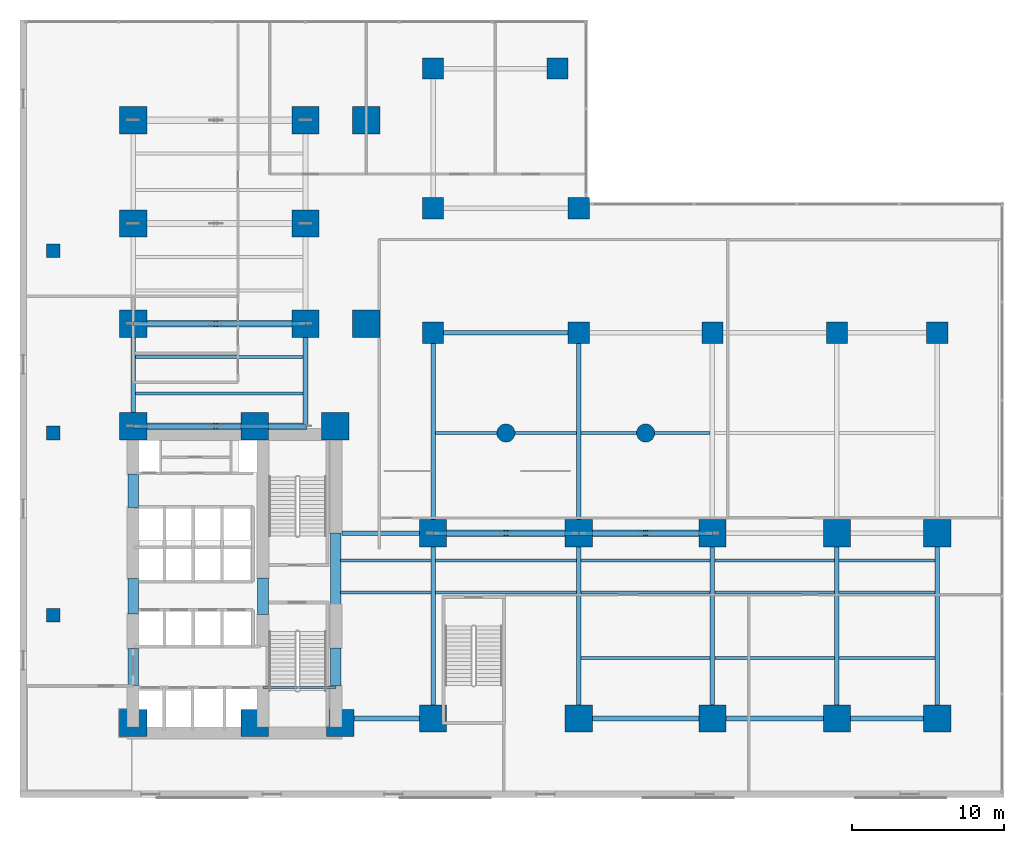
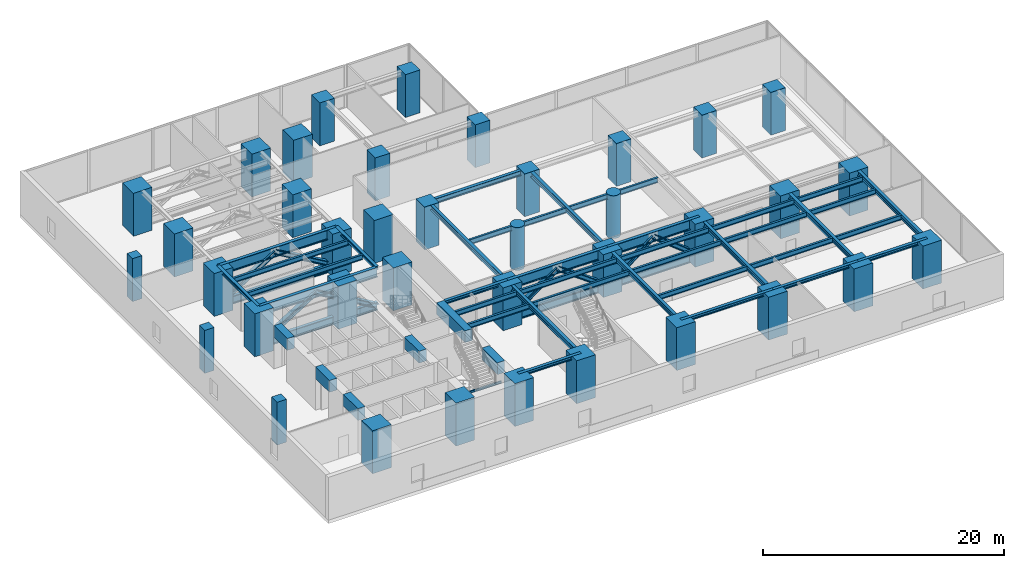
# One storey, part 1 of 18: 47 beams, 38 columns, 8 members.
"""IFC4 building model written with IfcOpenShell, lengths in metres."""

from ifc_helpers import new_model, si_unit, direction, frame, origin, origin_2d, place, context, subcontext, project, spatial, rectangle, circle, i_section, extrude, material, material_profile, profile_set, type_object, element, save


model = new_model("IFC4")

# Units and contexts
model_context = context("Model", 3, precision=1e-05, world=origin(), true_north=direction((0.0, 1.0)))
body_context = subcontext(model_context, "Body", "Model", "MODEL_VIEW")
ifc_project = project(units=[si_unit("LENGTHUNIT", "METRE"), si_unit("AREAUNIT", "SQUARE_METRE"), si_unit("VOLUMEUNIT", "CUBIC_METRE"), si_unit("PLANEANGLEUNIT", "RADIAN"), si_unit("MASSUNIT", "GRAM", prefix="KILO")], contexts=[model_context])

# Site, building, storey
site_placement = place(None, origin())
site = spatial("IfcSite", under=ifc_project, at=site_placement, CompositionType="ELEMENT")
building_placement = place(site_placement, origin())
building = spatial("IfcBuilding", under=site, at=building_placement, Name="Kolvaren Waterfront Exchange", CompositionType="ELEMENT")
storey_placement = place(building_placement, frame((0.0, 0.0, 24.800048828125)))
storey = spatial("IfcBuildingStorey", under=building, at=storey_placement, Name="L06", CompositionType="ELEMENT", Elevation=24.800048828125)

# Columns
ifc_material_1 = material(Name="Concrete C70/85", Category="concrete")
ifc_material_profile_1 = material_profile(ifc_material_1, rectangle(XDim=1.39990234375, YDim=1.39990234375, at=origin_2d()), Name="RC-COL-1400x1400")
ifc_profile_set_1 = profile_set([ifc_material_profile_1], Name="Concrete C70/85")
column_type_1 = type_object("IfcColumnType", Name="STR-COL-1400-C70", PredefinedType="COLUMN", material=ifc_profile_set_1)
for number, where, z_axis, x_axis, name in (
    (1, (27.199951171875, 30.60009765625, 0.0), (0.0, 0.0, 1.0), (1.0, 0.0, 0.0), "L06 column PC01"),
    (2, (36.800048828125, 30.60009765625, 0.0), (0.0, 0.0, 1.0), (1.0, 0.0, 0.0), "L06 column PC02"),
    (3, (45.60009765625, 30.60009765625, 0.0), (0.0, 0.0, 1.0), (1.0, 0.0, 0.0), "L06 column PC03"),
    (4, (53.800048828125, 30.60009765625, 0.0), (0.0, 0.0, 1.0), (1.0, 0.0, 0.0), "L06 column PC04"),
    (5, (60.39990234375, 30.60009765625, 0.0), (0.0, 0.0, 1.0), (1.0, 0.0, 0.0), "L06 column PC05"),
    (6, (27.199951171875, 38.800048828125, 0.0), (0.0, 0.0, 1.0), (1.0, 0.0, 0.0), "L06 column PC06"),
    (7, (36.800048828125, 38.800048828125, 0.0), (0.0, 0.0, 1.0), (1.0, 0.0, 0.0), "L06 column PC07"),
    (8, (27.199951171875, 48.0, 0.0), (0.0, 0.0, 1.0), (1.0, 0.0, 0.0), "L06 column PC08"),
    (9, (35.39990234375, 48.0, 0.0), (0.0, 0.0, 1.0), (1.0, 0.0, 0.0), "L06 column PC09"),
):
    element("IfcColumn", number, at=place(storey_placement, frame(where, z_axis=z_axis, x_axis=x_axis)), inside=storey, type_object=column_type_1, Name=name, PredefinedType="COLUMN", context=body_context, shape_type="SweptSolid", body=[
        extrude(rectangle(XDim=1.39990234375, YDim=1.39990234375, at=origin_2d()), origin(), (0.0, 0.0, 1.0), 4.349853515625),
    ])
ifc_material_profile_2 = material_profile(ifc_material_1, rectangle(XDim=1.800048828125, YDim=1.800048828125, at=origin_2d()), Name="RC-COL-1800x1800")
ifc_profile_set_2 = profile_set([ifc_material_profile_2], Name="Concrete C70/85")
column_type_2 = type_object("IfcColumnType", Name="STR-COL-1800-C70", PredefinedType="COLUMN", material=ifc_profile_set_2)
for number, where, z_axis, x_axis, name in (
    (10, (7.449951171875, 4.89990234375, 0.0), (0.0, 0.0, 1.0), (1.0, 0.0, 0.0), "L06 column MC01"),
    (11, (15.449951171875, 4.89990234375, 0.0), (0.0, 0.0, 1.0), (1.0, 0.0, 0.0), "L06 column MC02"),
    (12, (21.10009765625, 4.89990234375, 0.0), (0.0, 0.0, 1.0), (1.0, 0.0, 0.0), "L06 column MC03"),
    (13, (7.449951171875, 24.449951171875, 0.0), (0.0, 0.0, 1.0), (1.0, 0.0, 0.0), "L06 column MC04"),
    (14, (15.449951171875, 24.449951171875, 0.0), (0.0, 0.0, 1.0), (1.0, 0.0, 0.0), "L06 column MC05"),
    (15, (20.75, 24.449951171875, 0.0), (0.0, 0.0, 1.0), (1.0, 0.0, 0.0), "L06 column MC06"),
    (16, (7.449951171875, 31.199951171875, 0.0), (0.0, 0.0, 1.0), (1.0, 0.0, 0.0), "L06 column NC01"),
    (17, (7.449951171875, 37.800048828125, 0.0), (0.0, 0.0, 1.0), (1.0, 0.0, 0.0), "L06 column NC02"),
    (18, (7.449951171875, 44.60009765625, 0.0), (0.0, 0.0, 1.0), (1.0, 0.0, 0.0), "L06 column NC03"),
    (19, (18.800048828125, 31.199951171875, 0.0), (0.0, 0.0, 1.0), (1.0, 0.0, 0.0), "L06 column NC04"),
    (20, (18.800048828125, 37.800048828125, 0.0), (0.0, 0.0, 1.0), (1.0, 0.0, 0.0), "L06 column NC05"),
    (21, (18.800048828125, 44.60009765625, 0.0), (0.0, 0.0, 1.0), (1.0, 0.0, 0.0), "L06 column NC06"),
    (22, (27.199951171875, 5.199951171875, 0.0), (0.0, 0.0, 1.0), (1.0, 0.0, 0.0), "L06 column EC01"),
    (23, (36.800048828125, 5.199951171875, 0.0), (0.0, 0.0, 1.0), (1.0, 0.0, 0.0), "L06 column EC02"),
    (24, (45.60009765625, 5.199951171875, 0.0), (0.0, 0.0, 1.0), (1.0, 0.0, 0.0), "L06 column EC03"),
    (25, (27.199951171875, 17.39990234375, 0.0), (0.0, 0.0, 1.0), (1.0, 0.0, 0.0), "L06 column EC04"),
    (26, (36.800048828125, 17.39990234375, 0.0), (0.0, 0.0, 1.0), (1.0, 0.0, 0.0), "L06 column EC05"),
    (27, (45.60009765625, 17.39990234375, 0.0), (0.0, 0.0, 1.0), (1.0, 0.0, 0.0), "L06 column EC06"),
    (28, (53.800048828125, 5.199951171875, 0.0), (0.0, 0.0, 1.0), (1.0, 0.0, 0.0), "L06 column ZC01"),
    (29, (53.800048828125, 17.39990234375, 0.0), (0.0, 0.0, 1.0), (1.0, 0.0, 0.0), "L06 column ZC02"),
    (30, (60.39990234375, 5.199951171875, 0.0), (0.0, 0.0, 1.0), (1.0, 0.0, 0.0), "L06 column ZC03"),
    (31, (60.39990234375, 17.39990234375, 0.0), (0.0, 0.0, 1.0), (1.0, 0.0, 0.0), "L06 column ZC04"),
    (32, (22.800048828125, 31.199951171875, 0.0), (0.0, 0.0, 1.0), (1.0, 0.0, 0.0), "L06 column ZC05"),
    (33, (22.800048828125, 44.60009765625, 0.0), (0.0, 0.0, 1.0), (1.0, 0.0, 0.0), "L06 column ZC06"),
):
    element("IfcColumn", number, at=place(storey_placement, frame(where, z_axis=z_axis, x_axis=x_axis)), inside=storey, type_object=column_type_2, Name=name, PredefinedType="COLUMN", context=body_context, shape_type="SweptSolid", body=[
        extrude(rectangle(XDim=1.800048828125, YDim=1.800048828125, at=origin_2d()), origin(), (0.0, 0.0, 1.0), 4.349853515625),
    ])
ifc_material_profile_3 = material_profile(ifc_material_1, circle(Radius=0.60009765625, at=origin_2d()), Name="RC-COL-D1200")
ifc_profile_set_3 = profile_set([ifc_material_profile_3], Name="Concrete C70/85")
column_type_3 = type_object("IfcColumnType", Name="STR-COL-D1200-C70", PredefinedType="COLUMN", material=ifc_profile_set_3)
for number, where, z_axis, x_axis, name in (
    (34, (32.0, 24.0, 0.0), (0.0, 0.0, 1.0), (1.0, 0.0, 0.0), "L06 column LC01"),
    (35, (41.199951171875, 24.0, 0.0), (0.0, 0.0, 1.0), (1.0, 0.0, 0.0), "L06 column LC02"),
):
    element("IfcColumn", number, at=place(storey_placement, frame(where, z_axis=z_axis, x_axis=x_axis)), inside=storey, type_object=column_type_3, Name=name, PredefinedType="COLUMN", context=body_context, shape_type="SweptSolid", body=[
        extrude(circle(Radius=0.60009765625, at=origin_2d()), origin(), (0.0, 0.0, 1.0), 4.349853515625),
    ])
ifc_material_profile_4 = material_profile(ifc_material_1, rectangle(XDim=0.89990234375, YDim=0.89990234375, at=origin_2d()), Name="RC-COL-900x900")
ifc_profile_set_4 = profile_set([ifc_material_profile_4], Name="Concrete C70/85")
column_type_4 = type_object("IfcColumnType", Name="STR-PIL-900-C70", PredefinedType="PILASTER", material=ifc_profile_set_4)
for number, where, z_axis, x_axis, name in (
    (36, (2.199951171875, 12.0, 0.0), (0.0, 0.0, 1.0), (1.0, 0.0, 0.0), "L06 column PL01"),
    (37, (2.199951171875, 24.0, 0.0), (0.0, 0.0, 1.0), (1.0, 0.0, 0.0), "L06 column PL02"),
    (38, (2.199951171875, 36.0, 0.0), (0.0, 0.0, 1.0), (1.0, 0.0, 0.0), "L06 column PL03"),
):
    element("IfcColumn", number, at=place(storey_placement, frame(where, z_axis=z_axis, x_axis=x_axis)), inside=storey, type_object=column_type_4, Name=name, PredefinedType="PILASTER", context=body_context, shape_type="SweptSolid", body=[
        extrude(rectangle(XDim=0.89990234375, YDim=0.89990234375, at=origin_2d()), origin(), (0.0, 0.0, 1.0), 4.349853515625),
    ])

# Beams
ifc_material_2 = material(Name="Steel S355", Category="steel")
ifc_material_profile_5 = material_profile(ifc_material_2, i_section(OverallWidth=0.300048828125, OverallDepth=0.360107421875, WebThickness=0.012451171875, FlangeThickness=0.0224609375, FilletRadius=0.027099609375, at=origin_2d()), Name="HEB360")
ifc_profile_set_5 = profile_set([ifc_material_profile_5], Name="Steel S355")
beam_type_1 = type_object("IfcBeamType", Name="STR-BM-HEB360", PredefinedType="SPANDREL", material=ifc_profile_set_5)
for number, where, z_axis, x_axis, name in (
    (39, (7.449951171875, 24.449951171875, 4.169921875), (0.0, 1.0, 0.0), (-1.0, 0.0, 0.0), "L06 north-arm edge beam 1"),
    (40, (18.800048828125, 24.449951171875, 4.169921875), (0.0, 1.0, 0.0), (-1.0, 0.0, 0.0), "L06 north-arm edge beam 1"),
):
    element("IfcBeam", number, at=place(storey_placement, frame(where, z_axis=z_axis, x_axis=x_axis)), inside=storey, type_object=beam_type_1, Name=name, PredefinedType="SPANDREL", context=body_context, shape_type="SweptSolid", body=[
        extrude(i_section(OverallWidth=0.300048828125, OverallDepth=0.360107421875, WebThickness=0.012451171875, FlangeThickness=0.0224609375, FilletRadius=0.027099609375, at=origin_2d()), origin(), (0.0, 0.0, 1.0), 6.75),
    ])
beam_1_placement = place(storey_placement, frame((21.199951171875, 5.199951171875, 4.169921875), z_axis=(1.0, 0.0, 0.0), x_axis=(0.0, 1.0, 0.0)))
element("IfcBeam", 41, at=beam_1_placement, inside=storey, type_object=beam_type_1, Name="L06 east-arm spandrel S1", PredefinedType="SPANDREL", context=body_context, shape_type="SweptSolid", body=[
    extrude(i_section(OverallWidth=0.300048828125, OverallDepth=0.360107421875, WebThickness=0.012451171875, FlangeThickness=0.0224609375, FilletRadius=0.027099609375, at=origin_2d()), origin(), (0.0, 0.0, 1.0), 6.0),
])
beam_2_placement = place(storey_placement, frame((36.800048828125, 5.199951171875, 4.169921875), z_axis=(1.0, 0.0, 0.0), x_axis=(0.0, 1.0, 0.0)))
element("IfcBeam", 42, at=beam_2_placement, inside=storey, type_object=beam_type_1, Name="L06 east-arm spandrel S3", PredefinedType="SPANDREL", context=body_context, shape_type="SweptSolid", body=[
    extrude(i_section(OverallWidth=0.300048828125, OverallDepth=0.360107421875, WebThickness=0.012451171875, FlangeThickness=0.0224609375, FilletRadius=0.027099609375, at=origin_2d()), origin(), (0.0, 0.0, 1.0), 8.800048828125),
])
beam_3_placement = place(storey_placement, frame((45.60009765625, 5.199951171875, 4.169921875), z_axis=(1.0, 0.0, 0.0), x_axis=(0.0, 1.0, 0.0)))
element("IfcBeam", 43, at=beam_3_placement, inside=storey, type_object=beam_type_1, Name="L06 east-arm spandrel S4", PredefinedType="SPANDREL", context=body_context, shape_type="SweptSolid", body=[
    extrude(i_section(OverallWidth=0.300048828125, OverallDepth=0.360107421875, WebThickness=0.012451171875, FlangeThickness=0.0224609375, FilletRadius=0.027099609375, at=origin_2d()), origin(), (0.0, 0.0, 1.0), 8.199951171875),
])
beam_4_placement = place(storey_placement, frame((53.800048828125, 5.199951171875, 4.169921875), z_axis=(1.0, 0.0, 0.0), x_axis=(0.0, 1.0, 0.0)))
element("IfcBeam", 44, at=beam_4_placement, inside=storey, type_object=beam_type_1, Name="L06 east-arm spandrel S5", PredefinedType="SPANDREL", context=body_context, shape_type="SweptSolid", body=[
    extrude(i_section(OverallWidth=0.300048828125, OverallDepth=0.360107421875, WebThickness=0.012451171875, FlangeThickness=0.0224609375, FilletRadius=0.027099609375, at=origin_2d()), origin(), (0.0, 0.0, 1.0), 6.599853515625),
])
beam_5_placement = place(storey_placement, frame((21.199951171875, 17.39990234375, 4.169921875), z_axis=(1.0, 0.0, 0.0), x_axis=(0.0, 1.0, 0.0)))
element("IfcBeam", 45, at=beam_5_placement, inside=storey, type_object=beam_type_1, Name="L06 east-arm spandrel N1", PredefinedType="SPANDREL", context=body_context, shape_type="SweptSolid", body=[
    extrude(i_section(OverallWidth=0.300048828125, OverallDepth=0.360107421875, WebThickness=0.012451171875, FlangeThickness=0.0224609375, FilletRadius=0.027099609375, at=origin_2d()), origin(), (0.0, 0.0, 1.0), 6.0),
])
ifc_material_profile_6 = material_profile(ifc_material_2, i_section(OverallWidth=0.300048828125, OverallDepth=0.5, WebThickness=0.014404296875, FlangeThickness=0.028076171875, FilletRadius=0.027099609375, at=origin_2d()), Name="HEB500")
ifc_profile_set_6 = profile_set([ifc_material_profile_6], Name="Steel S355")
beam_type_2 = type_object("IfcBeamType", Name="STR-BM-HEB500", PredefinedType="BEAM", material=ifc_profile_set_6)
for number, where, z_axis, x_axis, name in (
    (46, (27.199951171875, 5.199951171875, 4.099853515625), (0.0, 1.0, 0.0), (-1.0, 0.0, 0.0), "L06 east-arm transverse girder X27"),
    (47, (36.800048828125, 5.199951171875, 4.099853515625), (0.0, 1.0, 0.0), (-1.0, 0.0, 0.0), "L06 east-arm transverse girder X36"),
    (48, (45.60009765625, 5.199951171875, 4.099853515625), (0.0, 1.0, 0.0), (-1.0, 0.0, 0.0), "L06 east-arm transverse girder X45"),
    (49, (53.800048828125, 5.199951171875, 4.099853515625), (0.0, 1.0, 0.0), (-1.0, 0.0, 0.0), "L06 east-arm transverse girder X53"),
    (50, (60.39990234375, 5.199951171875, 4.099853515625), (0.0, 1.0, 0.0), (-1.0, 0.0, 0.0), "L06 east-arm transverse girder X60"),
):
    element("IfcBeam", number, at=place(storey_placement, frame(where, z_axis=z_axis, x_axis=x_axis)), inside=storey, type_object=beam_type_2, Name=name, PredefinedType="BEAM", context=body_context, shape_type="SweptSolid", body=[
        extrude(i_section(OverallWidth=0.300048828125, OverallDepth=0.5, WebThickness=0.014404296875, FlangeThickness=0.028076171875, FilletRadius=0.027099609375, at=origin_2d()), origin(), (0.0, 0.0, 1.0), 12.199951171875),
    ])
for number, where, z_axis, x_axis, name in (
    (51, (27.199951171875, 17.39990234375, 4.099853515625), (0.0, 1.0, 0.0), (-1.0, 0.0, 0.0), "L06 podium hall girder X27"),
    (52, (36.800048828125, 17.39990234375, 4.099853515625), (0.0, 1.0, 0.0), (-1.0, 0.0, 0.0), "L06 podium hall girder X36"),
):
    element("IfcBeam", number, at=place(storey_placement, frame(where, z_axis=z_axis, x_axis=x_axis)), inside=storey, type_object=beam_type_2, Name=name, PredefinedType="BEAM", context=body_context, shape_type="SweptSolid", body=[
        extrude(i_section(OverallWidth=0.300048828125, OverallDepth=0.5, WebThickness=0.014404296875, FlangeThickness=0.028076171875, FilletRadius=0.027099609375, at=origin_2d()), origin(), (0.0, 0.0, 1.0), 13.2001953125),
    ])
beam_6_placement = place(storey_placement, frame((27.199951171875, 30.60009765625, 4.099853515625), z_axis=(1.0, 0.0, 0.0), x_axis=(0.0, 1.0, 0.0)))
element("IfcBeam", 53, at=beam_6_placement, inside=storey, type_object=beam_type_2, Name="L06 podium longitudinal beam 1", PredefinedType="BEAM", context=body_context, shape_type="SweptSolid", body=[
    extrude(i_section(OverallWidth=0.300048828125, OverallDepth=0.5, WebThickness=0.014404296875, FlangeThickness=0.028076171875, FilletRadius=0.027099609375, at=origin_2d()), origin(), (0.0, 0.0, 1.0), 9.60009765625),
])
ifc_material_profile_7 = material_profile(ifc_material_2, i_section(OverallWidth=0.1201171875, OverallDepth=0.239990234375, WebThickness=0.006103515625, FlangeThickness=0.009765625, FilletRadius=0.014892578125, at=origin_2d()), Name="IPE240")
ifc_profile_set_7 = profile_set([ifc_material_profile_7], Name="Steel S355")
beam_type_3 = type_object("IfcBeamType", Name="STR-BM-IPE240", PredefinedType="LINTEL", material=ifc_profile_set_7)
beam_7_placement = place(storey_placement, frame((16.0, 7.25, 2.3798828125), z_axis=(1.0, 0.0, 0.0), x_axis=(0.0, 1.0, 0.0)))
element("IfcBeam", 54, at=beam_7_placement, inside=storey, type_object=beam_type_3, Name="L06 core throat header lintel", PredefinedType="LINTEL", context=body_context, shape_type="SweptSolid", body=[
    extrude(i_section(OverallWidth=0.1201171875, OverallDepth=0.239990234375, WebThickness=0.006103515625, FlangeThickness=0.009765625, FilletRadius=0.014892578125, at=origin_2d()), origin(), (0.0, 0.0, 1.0), 4.800048828125),
])
ifc_material_profile_8 = material_profile(ifc_material_2, i_section(OverallWidth=0.199951171875, OverallDepth=0.5, WebThickness=0.01025390625, FlangeThickness=0.01611328125, FilletRadius=0.02099609375, at=origin_2d()), Name="IPE500")
ifc_profile_set_8 = profile_set([ifc_material_profile_8], Name="Steel S355")
beam_type_4 = type_object("IfcBeamType", Name="STR-BM-IPE500", PredefinedType="JOIST", material=ifc_profile_set_8)
for number, where, z_axis, x_axis, name in (
    (55, (7.60205078125, 26.60009765625, 4.099853515625), (1.0, 0.0, 0.0), (0.0, 1.0, 0.0), "L06 north-arm composite joist 1"),
    (56, (7.60205078125, 29.0, 4.099853515625), (1.0, 0.0, 0.0), (0.0, 1.0, 0.0), "L06 north-arm composite joist 2"),
):
    element("IfcBeam", number, at=place(storey_placement, frame(where, z_axis=z_axis, x_axis=x_axis)), inside=storey, type_object=beam_type_4, Name=name, PredefinedType="JOIST", context=body_context, shape_type="SweptSolid", body=[
        extrude(i_section(OverallWidth=0.199951171875, OverallDepth=0.5, WebThickness=0.01025390625, FlangeThickness=0.01611328125, FilletRadius=0.02099609375, at=origin_2d()), origin(), (0.0, 0.0, 1.0), 11.0458984375),
    ])
for number, where, z_axis, x_axis, name in (
    (57, (21.10009765625, 13.5, 4.099853515625), (1.0, 0.0, 0.0), (0.0, 1.0, 0.0), "L06 east-arm composite joist 1A"),
    (58, (21.10009765625, 15.60009765625, 4.099853515625), (1.0, 0.0, 0.0), (0.0, 1.0, 0.0), "L06 east-arm composite joist 1C"),
):
    element("IfcBeam", number, at=place(storey_placement, frame(where, z_axis=z_axis, x_axis=x_axis)), inside=storey, type_object=beam_type_4, Name=name, PredefinedType="JOIST", context=body_context, shape_type="SweptSolid", body=[
        extrude(i_section(OverallWidth=0.199951171875, OverallDepth=0.5, WebThickness=0.01025390625, FlangeThickness=0.01611328125, FilletRadius=0.02099609375, at=origin_2d()), origin(), (0.0, 0.0, 1.0), 5.947998046875),
    ])
for number, where, z_axis, x_axis, name in (
    (59, (27.35205078125, 13.5, 4.099853515625), (1.0, 0.0, 0.0), (0.0, 1.0, 0.0), "L06 east-arm composite joist 2A"),
    (60, (27.35205078125, 15.60009765625, 4.099853515625), (1.0, 0.0, 0.0), (0.0, 1.0, 0.0), "L06 east-arm composite joist 2C"),
):
    element("IfcBeam", number, at=place(storey_placement, frame(where, z_axis=z_axis, x_axis=x_axis)), inside=storey, type_object=beam_type_4, Name=name, PredefinedType="JOIST", context=body_context, shape_type="SweptSolid", body=[
        extrude(i_section(OverallWidth=0.199951171875, OverallDepth=0.5, WebThickness=0.01025390625, FlangeThickness=0.01611328125, FilletRadius=0.02099609375, at=origin_2d()), origin(), (0.0, 0.0, 1.0), 9.2958984375),
    ])
for number, where, z_axis, x_axis, name in (
    (61, (36.951904296875, 13.5, 4.099853515625), (1.0, 0.0, 0.0), (0.0, 1.0, 0.0), "L06 east-arm composite joist 3A"),
    (62, (36.951904296875, 15.60009765625, 4.099853515625), (1.0, 0.0, 0.0), (0.0, 1.0, 0.0), "L06 east-arm composite joist 3C"),
    (63, (36.951904296875, 9.199951171875, 4.099853515625), (1.0, 0.0, 0.0), (0.0, 1.0, 0.0), "L06 east-arm composite joist 3B"),
):
    element("IfcBeam", number, at=place(storey_placement, frame(where, z_axis=z_axis, x_axis=x_axis)), inside=storey, type_object=beam_type_4, Name=name, PredefinedType="JOIST", context=body_context, shape_type="SweptSolid", body=[
        extrude(i_section(OverallWidth=0.199951171875, OverallDepth=0.5, WebThickness=0.01025390625, FlangeThickness=0.01611328125, FilletRadius=0.02099609375, at=origin_2d()), origin(), (0.0, 0.0, 1.0), 8.49609375),
    ])
for number, where, z_axis, x_axis, name in (
    (64, (45.751953125, 13.5, 4.099853515625), (1.0, 0.0, 0.0), (0.0, 1.0, 0.0), "L06 east-arm composite joist 4A"),
    (65, (45.751953125, 15.60009765625, 4.099853515625), (1.0, 0.0, 0.0), (0.0, 1.0, 0.0), "L06 east-arm composite joist 4C"),
    (66, (45.751953125, 9.199951171875, 4.099853515625), (1.0, 0.0, 0.0), (0.0, 1.0, 0.0), "L06 east-arm composite joist 4B"),
):
    element("IfcBeam", number, at=place(storey_placement, frame(where, z_axis=z_axis, x_axis=x_axis)), inside=storey, type_object=beam_type_4, Name=name, PredefinedType="JOIST", context=body_context, shape_type="SweptSolid", body=[
        extrude(i_section(OverallWidth=0.199951171875, OverallDepth=0.5, WebThickness=0.01025390625, FlangeThickness=0.01611328125, FilletRadius=0.02099609375, at=origin_2d()), origin(), (0.0, 0.0, 1.0), 7.89599609375),
    ])
for number, where, z_axis, x_axis, name in (
    (67, (53.951904296875, 13.5, 4.099853515625), (1.0, 0.0, 0.0), (0.0, 1.0, 0.0), "L06 east-arm composite joist 5A"),
    (68, (53.951904296875, 15.60009765625, 4.099853515625), (1.0, 0.0, 0.0), (0.0, 1.0, 0.0), "L06 east-arm composite joist 5C"),
    (69, (53.951904296875, 9.199951171875, 4.099853515625), (1.0, 0.0, 0.0), (0.0, 1.0, 0.0), "L06 east-arm composite joist 5B"),
):
    element("IfcBeam", number, at=place(storey_placement, frame(where, z_axis=z_axis, x_axis=x_axis)), inside=storey, type_object=beam_type_4, Name=name, PredefinedType="JOIST", context=body_context, shape_type="SweptSolid", body=[
        extrude(i_section(OverallWidth=0.199951171875, OverallDepth=0.5, WebThickness=0.01025390625, FlangeThickness=0.01611328125, FilletRadius=0.02099609375, at=origin_2d()), origin(), (0.0, 0.0, 1.0), 6.296142578125),
    ])
beam_8_placement = place(storey_placement, frame((27.35205078125, 24.0, 4.099853515625), z_axis=(1.0, 0.0, 0.0), x_axis=(0.0, 1.0, 0.0)))
element("IfcBeam", 70, at=beam_8_placement, inside=storey, type_object=beam_type_4, Name="L06 podium trading joist 1", PredefinedType="JOIST", context=body_context, shape_type="SweptSolid", body=[
    extrude(i_section(OverallWidth=0.199951171875, OverallDepth=0.5, WebThickness=0.01025390625, FlangeThickness=0.01611328125, FilletRadius=0.02099609375, at=origin_2d()), origin(), (0.0, 0.0, 1.0), 9.2958984375),
])
beam_9_placement = place(storey_placement, frame((36.951904296875, 24.0, 4.099853515625), z_axis=(1.0, 0.0, 0.0), x_axis=(0.0, 1.0, 0.0)))
element("IfcBeam", 71, at=beam_9_placement, inside=storey, type_object=beam_type_4, Name="L06 podium trading joist 2", PredefinedType="JOIST", context=body_context, shape_type="SweptSolid", body=[
    extrude(i_section(OverallWidth=0.199951171875, OverallDepth=0.5, WebThickness=0.01025390625, FlangeThickness=0.01611328125, FilletRadius=0.02099609375, at=origin_2d()), origin(), (0.0, 0.0, 1.0), 8.49609375),
])

# Members
ifc_material_3 = material(Name="Steel S460", Category="steel")
ifc_material_profile_9 = material_profile(ifc_material_3, i_section(OverallWidth=0.416015625, OverallDepth=0.446044921875, WebThickness=0.035888671875, FlangeThickness=0.055908203125, FilletRadius=0.014892578125, at=origin_2d()), Name="HD400x509")
ifc_profile_set_9 = profile_set([ifc_material_profile_9], Name="Steel S460")
member_type = type_object("IfcMemberType", Name="STR-BR-HD509", PredefinedType="BRACE", material=ifc_profile_set_9)
member_1_placement = place(storey_placement, frame((7.449951171875, 24.449951171875, 0.406982421875), z_axis=(0.845706690129, 0.0, 0.533648005965), x_axis=(0.0, 1.0, 0.0)))
element("IfcMember", 72, at=member_1_placement, inside=storey, type_object=member_type, Name="L06 transfer truss diagonal TT1.1", PredefinedType="BRACE", context=body_context, shape_type="SweptSolid", body=[
    extrude(i_section(OverallWidth=0.416015625, OverallDepth=0.446044921875, WebThickness=0.035888671875, FlangeThickness=0.055908203125, FilletRadius=0.014892578125, at=origin_2d()), origin(), (0.0, 0.0, 1.0), 6.4443359375),
])
member_2_placement = place(storey_placement, frame((18.800048828125, 24.449951171875, 0.406982421875), z_axis=(-0.863956482991, 0.0, 0.503566475748), x_axis=(0.0, -1.0, 0.0)))
element("IfcMember", 73, at=member_2_placement, inside=storey, type_object=member_type, Name="L06 transfer truss diagonal TT1.2", PredefinedType="BRACE", context=body_context, shape_type="SweptSolid", body=[
    extrude(i_section(OverallWidth=0.416015625, OverallDepth=0.446044921875, WebThickness=0.035888671875, FlangeThickness=0.055908203125, FilletRadius=0.014892578125, at=origin_2d()), origin(), (0.0, 0.0, 1.0), 6.8291015625),
])
member_3_placement = place(storey_placement, frame((7.449951171875, 31.199951171875, 0.406982421875), z_axis=(0.845706690129, 0.0, 0.533648005965), x_axis=(0.0, 1.0, 0.0)))
element("IfcMember", 74, at=member_3_placement, inside=storey, type_object=member_type, Name="L06 transfer truss diagonal TT2.1", PredefinedType="BRACE", context=body_context, shape_type="SweptSolid", body=[
    extrude(i_section(OverallWidth=0.416015625, OverallDepth=0.446044921875, WebThickness=0.035888671875, FlangeThickness=0.055908203125, FilletRadius=0.014892578125, at=origin_2d()), origin(), (0.0, 0.0, 1.0), 6.4443359375),
])
member_4_placement = place(storey_placement, frame((18.800048828125, 31.199951171875, 0.406982421875), z_axis=(-0.863956482991, 0.0, 0.503566475748), x_axis=(0.0, -1.0, 0.0)))
element("IfcMember", 75, at=member_4_placement, inside=storey, type_object=member_type, Name="L06 transfer truss diagonal TT2.2", PredefinedType="BRACE", context=body_context, shape_type="SweptSolid", body=[
    extrude(i_section(OverallWidth=0.416015625, OverallDepth=0.446044921875, WebThickness=0.035888671875, FlangeThickness=0.055908203125, FilletRadius=0.014892578125, at=origin_2d()), origin(), (0.0, 0.0, 1.0), 6.8291015625),
])
for number, where, z_axis, x_axis, name in (
    (76, (27.199951171875, 17.39990234375, 0.406982421875), (0.812902929265, 0.0, 0.582399199513), (0.0, 1.0, 0.0), "L06 transfer truss diagonal TT5.1"),
    (77, (36.800048828125, 17.39990234375, 0.406982421875), (-0.812902929265, 0.0, 0.582399199513), (0.0, -1.0, 0.0), "L06 transfer truss diagonal TT5.2"),
):
    element("IfcMember", number, at=place(storey_placement, frame(where, z_axis=z_axis, x_axis=x_axis)), inside=storey, type_object=member_type, Name=name, PredefinedType="BRACE", context=body_context, shape_type="SweptSolid", body=[
        extrude(i_section(OverallWidth=0.416015625, OverallDepth=0.446044921875, WebThickness=0.035888671875, FlangeThickness=0.055908203125, FilletRadius=0.014892578125, at=origin_2d()), origin(), (0.0, 0.0, 1.0), 5.90478515625),
    ])
member_5_placement = place(storey_placement, frame((36.800048828125, 17.39990234375, 0.406982421875), z_axis=(0.787890469578, 0.0, 0.61581540087), x_axis=(0.0, 1.0, 0.0)))
element("IfcMember", 78, at=member_5_placement, inside=storey, type_object=member_type, Name="L06 transfer truss diagonal TT6.1", PredefinedType="BRACE", context=body_context, shape_type="SweptSolid", body=[
    extrude(i_section(OverallWidth=0.416015625, OverallDepth=0.446044921875, WebThickness=0.035888671875, FlangeThickness=0.055908203125, FilletRadius=0.014892578125, at=origin_2d()), origin(), (0.0, 0.0, 1.0), 5.58447265625),
])
member_6_placement = place(storey_placement, frame((45.60009765625, 17.39990234375, 0.406982421875), z_axis=(-0.787907047936, 0.0, 0.615794189493), x_axis=(0.0, -1.0, 0.0)))
element("IfcMember", 79, at=member_6_placement, inside=storey, type_object=member_type, Name="L06 transfer truss diagonal TT6.2", PredefinedType="BRACE", context=body_context, shape_type="SweptSolid", body=[
    extrude(i_section(OverallWidth=0.416015625, OverallDepth=0.446044921875, WebThickness=0.035888671875, FlangeThickness=0.055908203125, FilletRadius=0.014892578125, at=origin_2d()), origin(), (0.0, 0.0, 1.0), 5.584716796875),
])

# Beams
ifc_material_profile_10 = material_profile(ifc_material_1, rectangle(XDim=0.699951171875, YDim=1.199951171875, at=origin_2d()), Name="RC-CB-1200x700")
ifc_profile_set_10 = profile_set([ifc_material_profile_10], Name="Concrete C70/85")
beam_type_5 = type_object("IfcBeamType", Name="STR-CB-1200", PredefinedType="SPANDREL", material=ifc_profile_set_10)
beam_10_placement = place(storey_placement, frame((20.800048828125, 7.340087890625, 3.75), z_axis=(0.0, 1.0, 0.0), x_axis=(-1.0, 0.0, 0.0)))
element("IfcBeam", 80, at=beam_10_placement, inside=storey, type_object=beam_type_5, Name="L06 core coupling beam 1", PredefinedType="SPANDREL", context=body_context, shape_type="SweptSolid", body=[
    extrude(rectangle(XDim=0.699951171875, YDim=1.199951171875, at=origin_2d()), origin(), (0.0, 0.0, 1.0), 2.52001953125),
])
beam_11_placement = place(storey_placement, frame((20.800048828125, 12.68994140625, 3.75), z_axis=(0.0, 1.0, 0.0), x_axis=(-1.0, 0.0, 0.0)))
element("IfcBeam", 81, at=beam_11_placement, inside=storey, type_object=beam_type_5, Name="L06 core coupling beam 2", PredefinedType="SPANDREL", context=body_context, shape_type="SweptSolid", body=[
    extrude(rectangle(XDim=0.699951171875, YDim=1.199951171875, at=origin_2d()), origin(), (0.0, 0.0, 1.0), 4.719970703125),
])
beam_12_placement = place(storey_placement, frame((7.449951171875, 7.389892578125, 3.75), z_axis=(0.0, 1.0, 0.0), x_axis=(-1.0, 0.0, 0.0)))
element("IfcBeam", 82, at=beam_12_placement, inside=storey, type_object=beam_type_5, Name="L06 core coupling beam 3", PredefinedType="SPANDREL", context=body_context, shape_type="SweptSolid", body=[
    extrude(rectangle(XDim=0.699951171875, YDim=1.199951171875, at=origin_2d()), origin(), (0.0, 0.0, 1.0), 2.420166015625),
])
beam_13_placement = place(storey_placement, frame((7.449951171875, 12.090087890625, 3.75), z_axis=(0.0, 1.0, 0.0), x_axis=(-1.0, 0.0, 0.0)))
element("IfcBeam", 83, at=beam_13_placement, inside=storey, type_object=beam_type_5, Name="L06 core coupling beam 4", PredefinedType="SPANDREL", context=body_context, shape_type="SweptSolid", body=[
    extrude(rectangle(XDim=0.699951171875, YDim=1.199951171875, at=origin_2d()), origin(), (0.0, 0.0, 1.0), 2.31982421875),
])
beam_14_placement = place(storey_placement, frame((7.449951171875, 19.10009765625, 3.75), z_axis=(0.0, 1.0, 0.0), x_axis=(-1.0, 0.0, 0.0)))
element("IfcBeam", 84, at=beam_14_placement, inside=storey, type_object=beam_type_5, Name="L06 core coupling beam 5", PredefinedType="SPANDREL", context=body_context, shape_type="SweptSolid", body=[
    extrude(rectangle(XDim=0.699951171875, YDim=1.199951171875, at=origin_2d()), origin(), (0.0, 0.0, 1.0), 2.199951171875),
])
beam_15_placement = place(storey_placement, frame((16.0, 12.0400390625, 3.75), z_axis=(0.0, 1.0, 0.0), x_axis=(-1.0, 0.0, 0.0)))
element("IfcBeam", 85, at=beam_15_placement, inside=storey, type_object=beam_type_5, Name="L06 core coupling beam 6", PredefinedType="SPANDREL", context=body_context, shape_type="SweptSolid", body=[
    extrude(rectangle(XDim=0.699951171875, YDim=1.199951171875, at=origin_2d()), origin(), (0.0, 0.0, 1.0), 2.419921875),
])
ifc_material_profile_11 = material_profile(ifc_material_3, i_section(OverallWidth=0.302001953125, OverallDepth=1.008056640625, WebThickness=0.02099609375, FlangeThickness=0.0400390625, FilletRadius=0.030029296875, at=origin_2d()), Name="HEM1000")
ifc_profile_set_11 = profile_set([ifc_material_profile_11], Name="Steel S460")
beam_type_6 = type_object("IfcBeamType", Name="STR-TRG-HEM1000", PredefinedType="BEAM", material=ifc_profile_set_11)
for number, where, z_axis, x_axis, name in (
    (86, (7.449951171875, 24.449951171875, 3.845947265625), (1.0, 0.0, 0.0), (0.0, 1.0, 0.0), "L07 transfer girder TT1"),
    (87, (7.449951171875, 31.199951171875, 3.845947265625), (1.0, 0.0, 0.0), (0.0, 1.0, 0.0), "L07 transfer girder TT2"),
):
    element("IfcBeam", number, at=place(storey_placement, frame(where, z_axis=z_axis, x_axis=x_axis)), inside=storey, type_object=beam_type_6, Name=name, PredefinedType="BEAM", context=body_context, shape_type="SweptSolid", body=[
        extrude(i_section(OverallWidth=0.302001953125, OverallDepth=1.008056640625, WebThickness=0.02099609375, FlangeThickness=0.0400390625, FilletRadius=0.030029296875, at=origin_2d()), origin(), (0.0, 0.0, 1.0), 11.35009765625),
    ])
beam_16_placement = place(storey_placement, frame((27.199951171875, 17.39990234375, 3.845947265625), z_axis=(1.0, 0.0, 0.0), x_axis=(0.0, 1.0, 0.0)))
element("IfcBeam", 88, at=beam_16_placement, inside=storey, type_object=beam_type_6, Name="L07 transfer girder TT5", PredefinedType="BEAM", context=body_context, shape_type="SweptSolid", body=[
    extrude(i_section(OverallWidth=0.302001953125, OverallDepth=1.008056640625, WebThickness=0.02099609375, FlangeThickness=0.0400390625, FilletRadius=0.030029296875, at=origin_2d()), origin(), (0.0, 0.0, 1.0), 9.60009765625),
])
beam_17_placement = place(storey_placement, frame((36.800048828125, 17.39990234375, 3.845947265625), z_axis=(1.0, 0.0, 0.0), x_axis=(0.0, 1.0, 0.0)))
element("IfcBeam", 89, at=beam_17_placement, inside=storey, type_object=beam_type_6, Name="L07 transfer girder TT6", PredefinedType="BEAM", context=body_context, shape_type="SweptSolid", body=[
    extrude(i_section(OverallWidth=0.302001953125, OverallDepth=1.008056640625, WebThickness=0.02099609375, FlangeThickness=0.0400390625, FilletRadius=0.030029296875, at=origin_2d()), origin(), (0.0, 0.0, 1.0), 8.800048828125),
])
ifc_material_profile_12 = material_profile(ifc_material_3, i_section(OverallWidth=0.302978515625, OverallDepth=0.81396484375, WebThickness=0.02099609375, FlangeThickness=0.0400390625, FilletRadius=0.030029296875, at=origin_2d()), Name="HEM800")
ifc_profile_set_12 = profile_set([ifc_material_profile_12], Name="Steel S460")
beam_type_7 = type_object("IfcBeamType", Name="STR-TRG-HEM800", PredefinedType="BEAM", material=ifc_profile_set_12)
for number, where, z_axis, x_axis, name in (
    (90, (7.449951171875, 24.449951171875, 0.406982421875), (1.0, 0.0, 0.0), (0.0, 1.0, 0.0), "L06 transfer truss bottom chord TT1"),
    (91, (7.449951171875, 31.199951171875, 0.406982421875), (1.0, 0.0, 0.0), (0.0, 1.0, 0.0), "L06 transfer truss bottom chord TT2"),
):
    element("IfcBeam", number, at=place(storey_placement, frame(where, z_axis=z_axis, x_axis=x_axis)), inside=storey, type_object=beam_type_7, Name=name, PredefinedType="BEAM", context=body_context, shape_type="SweptSolid", body=[
        extrude(i_section(OverallWidth=0.302978515625, OverallDepth=0.81396484375, WebThickness=0.02099609375, FlangeThickness=0.0400390625, FilletRadius=0.030029296875, at=origin_2d()), origin(), (0.0, 0.0, 1.0), 11.35009765625),
    ])
beam_18_placement = place(storey_placement, frame((27.199951171875, 17.39990234375, 0.406982421875), z_axis=(1.0, 0.0, 0.0), x_axis=(0.0, 1.0, 0.0)))
element("IfcBeam", 92, at=beam_18_placement, inside=storey, type_object=beam_type_7, Name="L06 transfer truss bottom chord TT5", PredefinedType="BEAM", context=body_context, shape_type="SweptSolid", body=[
    extrude(i_section(OverallWidth=0.302978515625, OverallDepth=0.81396484375, WebThickness=0.02099609375, FlangeThickness=0.0400390625, FilletRadius=0.030029296875, at=origin_2d()), origin(), (0.0, 0.0, 1.0), 9.60009765625),
])
beam_19_placement = place(storey_placement, frame((36.800048828125, 17.39990234375, 0.406982421875), z_axis=(1.0, 0.0, 0.0), x_axis=(0.0, 1.0, 0.0)))
element("IfcBeam", 93, at=beam_19_placement, inside=storey, type_object=beam_type_7, Name="L06 transfer truss bottom chord TT6", PredefinedType="BEAM", context=body_context, shape_type="SweptSolid", body=[
    extrude(i_section(OverallWidth=0.302978515625, OverallDepth=0.81396484375, WebThickness=0.02099609375, FlangeThickness=0.0400390625, FilletRadius=0.030029296875, at=origin_2d()), origin(), (0.0, 0.0, 1.0), 8.800048828125),
])

save(model, "model.ifc")
